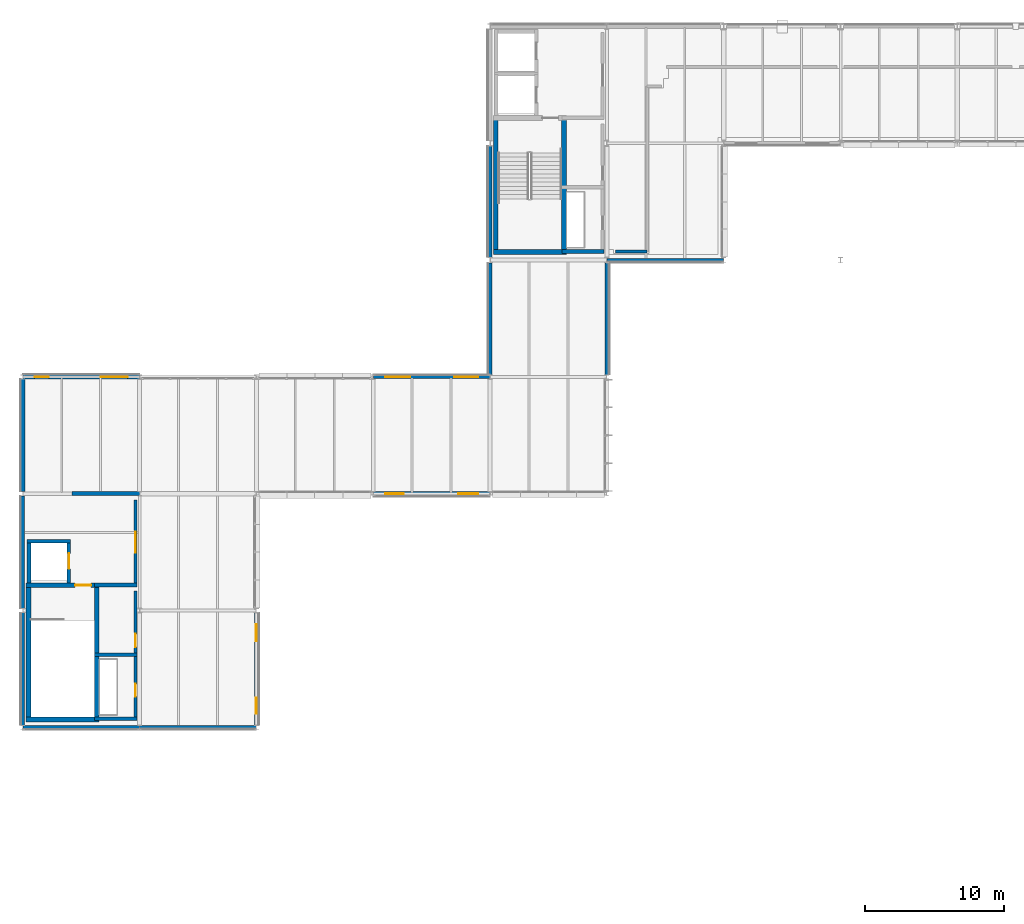
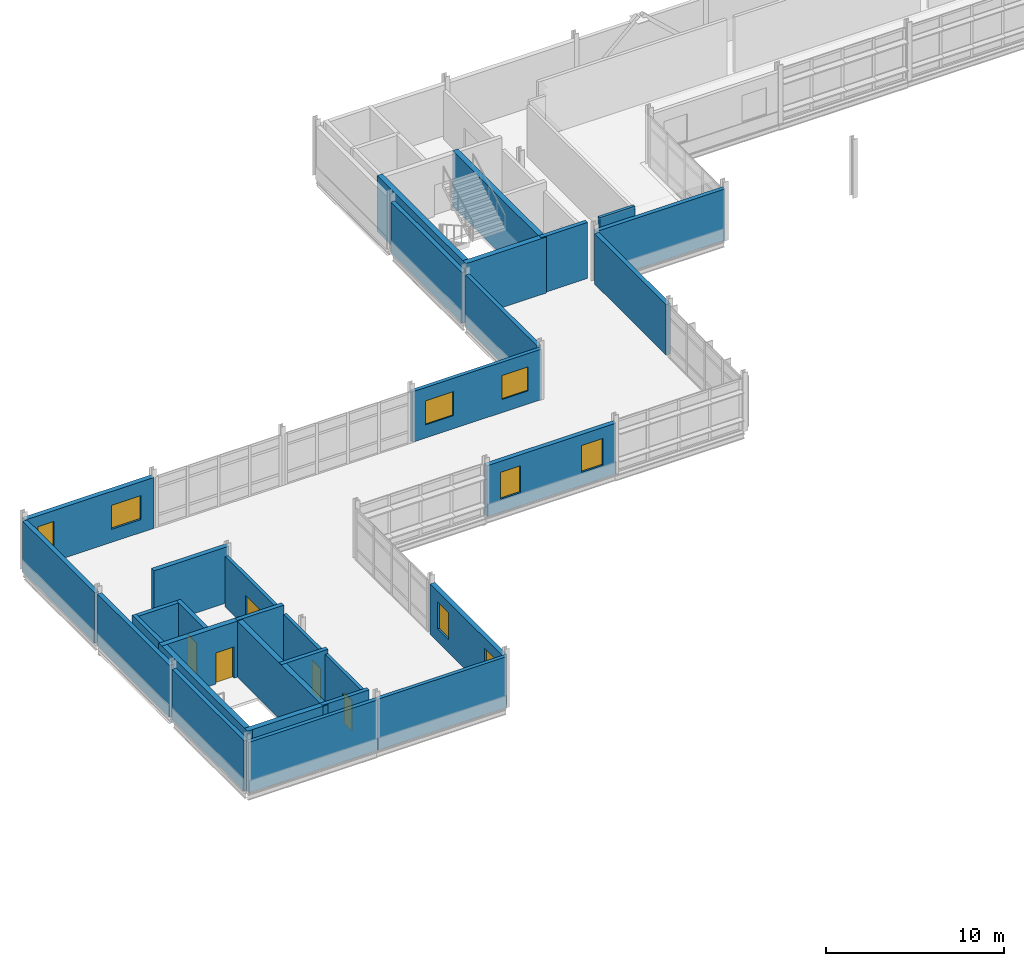
# One storey, part 84 of 103: 32 walls, 8 windows, 5 doors, 13 openings.
"""IFC4 building model written with IfcOpenShell, lengths in metres."""

import ifcopenshell
import ifcopenshell.guid

model = None  # the IFC model being written
_history = None  # IfcOwnerHistory: only IFC2X3 demands one
_inside = {}  # id of a spatial element -> (the spatial element, [elements in it])
_under = {}  # id of a project, library or spatial element -> (it, [spatial elements below it])
_declared = {}  # id of a project -> (the project, [libraries it declares])
_typed = {}  # id of a type object -> (the type object, [elements of that type])
_made_of = {}  # id of a material, layer set ... -> (it, [elements and type objects made of it])


def new_model(schema):
    """Start an empty IFC model of exactly this schema.

    Asked for "IFC4X3", IfcOpenShell would pick the latest addendum, in which some entities
    have other attributes; the version numbers below select the first issue.
    IFC2X3 requires an IfcOwnerHistory on every rooted entity: one is made here for all.
    """
    global model, _history
    if schema == "IFC4X3":
        model = ifcopenshell.file(schema_version=(4, 3, 0, 0))
    else:
        model = ifcopenshell.file(schema=schema)
    _inside.clear()
    _under.clear()
    _declared.clear()
    _typed.clear()
    _made_of.clear()
    _history = None
    if model.schema == "IFC2X3":
        org = make("IfcOrganization", Name="unknown")
        user = make(
            "IfcPersonAndOrganization",
            ThePerson=make("IfcPerson", FamilyName="unknown"),
            TheOrganization=org,
        )
        app = make(
            "IfcApplication",
            ApplicationDeveloper=org,
            Version="unknown",
            ApplicationFullName="unknown",
            ApplicationIdentifier="unknown",
        )
        _history = make(
            "IfcOwnerHistory",
            OwningUser=user,
            OwningApplication=app,
            ChangeAction="ADDED",
            CreationDate=0,
        )
    return model


def make(cls, **values):
    """One entity of the class cls with the attributes given. An attribute that is None is left unset."""
    return model.create_entity(
        cls, **{name: value for name, value in values.items() if value is not None}
    )


def rooted(cls, **values):
    """An entity with a GlobalId (a new one), such as an element, a storey or a relation."""
    return make(cls, GlobalId=ifcopenshell.guid.new(), OwnerHistory=_history, **values)


def si_unit(unit_type, name, prefix=None):
    """IfcSIUnit, for example si_unit("LENGTHUNIT", "METRE", prefix="MILLI")."""
    return make("IfcSIUnit", UnitType=unit_type, Prefix=prefix, Name=name)


def assignment(units):
    """IfcUnitAssignment: the units of a project."""
    return None if units is None else make("IfcUnitAssignment", Units=units)


def point(xyz):
    """IfcCartesianPoint."""
    return None if xyz is None else make("IfcCartesianPoint", Coordinates=xyz)


def direction(xyz):
    """IfcDirection."""
    return None if xyz is None else make("IfcDirection", DirectionRatios=xyz)


def frame(location, z_axis=None, x_axis=None):
    """IfcAxis2Placement3D, a coordinate frame: its origin and axes. An axis left out is left unset."""
    return make(
        "IfcAxis2Placement3D",
        Location=point(location),
        Axis=direction(z_axis),
        RefDirection=direction(x_axis),
    )


def frame_2d(location, x_axis=None):
    """IfcAxis2Placement2D, a coordinate frame in the plane: its origin and x axis."""
    return make(
        "IfcAxis2Placement2D", Location=point(location), RefDirection=direction(x_axis)
    )


def origin():
    """The frame at (0, 0, 0) with its axes left unset."""
    return frame((0.0, 0.0, 0.0))


def place(relative_to, where):
    """IfcLocalPlacement: puts the frame where relative to a parent placement (None: the world)."""
    return make(
        "IfcLocalPlacement", PlacementRelTo=relative_to, RelativePlacement=where
    )


def context(
    kind, dimensions, precision=None, world=None, true_north=None, identifier=None
):
    """IfcGeometricRepresentationContext, for example the 3D "Model" context."""
    return make(
        "IfcGeometricRepresentationContext",
        ContextIdentifier=identifier,
        ContextType=kind,
        CoordinateSpaceDimension=dimensions,
        Precision=precision,
        WorldCoordinateSystem=world,
        TrueNorth=true_north,
    )


def subcontext(parent, identifier, kind, view, scale=None):
    """IfcGeometricRepresentationSubContext, for example "Body" below "Model"."""
    return make(
        "IfcGeometricRepresentationSubContext",
        ContextIdentifier=identifier,
        ContextType=kind,
        ParentContext=parent,
        TargetScale=scale,
        TargetView=view,
    )


def project(units=None, contexts=None):
    """IfcProject with its units and contexts."""
    return rooted(
        "IfcProject",
        Name="project",
        RepresentationContexts=contexts,
        UnitsInContext=assignment(units),
    )


def spatial(cls, under=None, at=None, **own):
    """A site, building, storey or space (cls), placed at a placement, below another one or the project."""
    s = rooted(cls, ObjectPlacement=at, **own)
    if under is not None:
        _under.setdefault(under.id(), (under, []))[1].append(s)
    return s


def profile(cls, at=None, kind="AREA", **sizes):
    """A parametric profile (cls). Its sizes go by their IFC names, for example OverallWidth=200.0."""
    return make(cls, ProfileType=kind, Position=at, **sizes)


def rectangle(**sizes):
    """IfcRectangleProfileDef."""
    return profile("IfcRectangleProfileDef", **sizes)


def extrude(swept, where, along, depth):
    """IfcExtrudedAreaSolid: the profile swept, set in the frame where, extruded along a direction by depth."""
    return make(
        "IfcExtrudedAreaSolid",
        SweptArea=swept,
        Position=where,
        ExtrudedDirection=direction(along),
        Depth=depth,
    )


def shape(context_of_items, identifier, shape_type, items):
    """IfcShapeRepresentation: the items that make up one representation, for example the "Body"."""
    return make(
        "IfcShapeRepresentation",
        ContextOfItems=context_of_items,
        RepresentationIdentifier=identifier,
        RepresentationType=shape_type,
        Items=items,
    )


def material(Name=None, Category=None):
    """IfcMaterial."""
    return make("IfcMaterial", Name=Name, Category=Category)


def layer(
    of_material, thickness, ventilated=None, Name=None, Category=None, Priority=None
):
    """IfcMaterialLayer: one layer of a wall or slab, of a material (None: an air gap)."""
    return make(
        "IfcMaterialLayer",
        Material=of_material,
        LayerThickness=thickness,
        IsVentilated=ventilated,
        Name=Name,
        Category=Category,
        Priority=Priority,
    )


def layer_set(layers, Name=None):
    """IfcMaterialLayerSet."""
    return make("IfcMaterialLayerSet", MaterialLayers=layers, LayerSetName=Name)


def made_of(thing, what):
    """Note that an element or type object is made of a material, layer set ...; save() writes the relation."""
    if what is not None:
        _made_of.setdefault(what.id(), (what, []))[1].append(thing)
    return thing


def type_object(cls, material=None, **own):
    """A type object (cls), such as IfcWallType, which elements share."""
    return made_of(rooted(cls, **own), material)


def element(
    cls,
    number,
    at=None,
    inside=None,
    cuts=None,
    type_object=None,
    material=None,
    context=None,
    identifier="Body",
    shape_type=None,
    held_by="IfcProductDefinitionShape",
    body=None,
    shapes=None,
    **own,
):
    """One element of the class cls, such as IfcWall. Its Tag is "e" and its number.

    at: its placement. inside: the storey or other place that contains it. cuts: it is an
    opening in that element (IfcRelVoidsElement). A single representation is given by context,
    identifier, shape_type and body (its items); several are given by shapes. held_by: the class
    of the entity that holds the representations. save() writes the other relations.
    """
    e = rooted(cls, Tag="e%d" % number, ObjectPlacement=at, **own)
    if body is not None:
        shapes = [shape(context, identifier, shape_type, body)]
    if shapes is not None:
        e.Representation = make(held_by, Representations=shapes)
    if inside is not None:
        _inside.setdefault(inside.id(), (inside, []))[1].append(e)
    if cuts is not None:
        rooted(
            "IfcRelVoidsElement", RelatingBuildingElement=cuts, RelatedOpeningElement=e
        )
    if type_object is not None:
        _typed.setdefault(type_object.id(), (type_object, []))[1].append(e)
    return made_of(e, material)


def fill(opening, filler):
    """IfcRelFillsElement: the door or window that sits in an opening."""
    return rooted(
        "IfcRelFillsElement",
        RelatingOpeningElement=opening,
        RelatedBuildingElement=filler,
    )


def aggregate(whole, parts):
    """IfcRelAggregates: a whole, such as a stair, and the parts it consists of."""
    return rooted("IfcRelAggregates", RelatingObject=whole, RelatedObjects=parts)


def save(model, path):
    """Write the relations noted so far, then the file.

    IfcRelAggregates (storeys below a building ...), IfcRelContainedInSpatialStructure (elements
    in a storey), IfcRelDefinesByType, IfcRelAssociatesMaterial and IfcRelDeclares: one each for
    every whole, place, type object, material and project.
    """
    for whole, parts in _under.values():
        aggregate(whole, parts)
    for where, things in _inside.values():
        rooted(
            "IfcRelContainedInSpatialStructure",
            RelatedElements=things,
            RelatingStructure=where,
        )
    for kind, things in _typed.values():
        rooted("IfcRelDefinesByType", RelatedObjects=things, RelatingType=kind)
    for what, things in _made_of.values():
        rooted("IfcRelAssociatesMaterial", RelatedObjects=things, RelatingMaterial=what)
    for by, libraries in _declared.values():
        rooted("IfcRelDeclares", RelatingContext=by, RelatedDefinitions=libraries)
    model.write(path)


model = new_model("IFC4")

# Units and contexts
model_context = context("Model", 3, precision=1e-05, world=origin(), true_north=direction((0.0, 1.0)))
body_context = subcontext(model_context, "Body", "Model", "MODEL_VIEW")
ifc_project = project(units=[si_unit("LENGTHUNIT", "METRE"), si_unit("AREAUNIT", "SQUARE_METRE"), si_unit("VOLUMEUNIT", "CUBIC_METRE"), si_unit("PLANEANGLEUNIT", "RADIAN"), si_unit("MASSUNIT", "GRAM", prefix="KILO")], contexts=[model_context])

# Site, building, storey
site_placement = place(None, origin())
site = spatial("IfcSite", under=ifc_project, at=site_placement, CompositionType="ELEMENT")
building_placement = place(site_placement, origin())
building = spatial("IfcBuilding", under=site, at=building_placement, Name="Mersafa Astral City Hall", CompositionType="ELEMENT")
storey_placement = place(building_placement, frame((0.0, 0.0, 18.0)))
storey = spatial("IfcBuildingStorey", under=building, at=storey_placement, Name="L04", CompositionType="ELEMENT", Elevation=18.0)

# Wall, openings, windows
ifc_material_1 = material(Name="Precast concrete C40/50 insulated terracotta spandrel", Category="masonry")
ifc_layer_1 = layer(ifc_material_1, 0.235107421875, Name="Precast concrete C40/50 insulated terracotta spandrel")
ifc_layer_set_1 = layer_set([ifc_layer_1], Name="Precast concrete C40/50 insulated terracotta spandrel — ENV-WAL-EXT-235")
wall_type_1 = type_object("IfcWallType", Name="ENV-WAL-EXT-235", PredefinedType="STANDARD", material=ifc_layer_set_1)
wall_1_placement = place(storey_placement, frame((41.991943359375, 100.800048828125, 0.0), z_axis=(0.0, 0.0, 1.0), x_axis=(-1.0, 0.0, 0.0)))
wall_1 = element("IfcWall", 1, at=wall_1_placement, inside=storey, type_object=wall_type_1, Name="L04 Limestone-clad exterior wall 311", PredefinedType="STANDARD", context=body_context, shape_type="SweptSolid", body=[
    extrude(rectangle(XDim=8.384033203125, YDim=0.235107421875, at=frame_2d((4.19189453125, 0.0))), origin(), (0.0, 0.0, 1.0), 3.471923828125),
])
opening_1_placement = place(wall_1_placement, frame((0.85009765625, 0.0, 0.89990234375)))
opening_1 = element("IfcOpeningElement", 2, at=opening_1_placement, cuts=wall_1, Name="Opening W-38", PredefinedType="OPENING", context=body_context, shape_type="SweptSolid", body=[
    extrude(rectangle(XDim=1.719970703125, YDim=1.64990234375, at=frame_2d((0.85986328125, 0.824951171875))), frame((0.0, 0.12744140625, 0.0), z_axis=(0.0, -1.0, 0.0), x_axis=(1.0, 0.0, 0.0)), (0.0, 0.0, 1.0), 0.255126953125),
])
opening_2_placement = place(wall_1_placement, frame((5.714111328125, 0.0, 0.89990234375)))
opening_2 = element("IfcOpeningElement", 3, at=opening_2_placement, cuts=wall_1, Name="Opening W-39", PredefinedType="OPENING", context=body_context, shape_type="SweptSolid", body=[
    extrude(rectangle(XDim=1.820068359375, YDim=1.64990234375, at=frame_2d((0.91015625, 0.824951171875))), frame((0.0, 0.12744140625, 0.0), z_axis=(0.0, -1.0, 0.0), x_axis=(1.0, 0.0, 0.0)), (0.0, 0.0, 1.0), 0.255126953125),
])
ifc_material_2 = material(Name="Solar control low-e double glazing in bronze frame", Category="glass")
window_type_1 = type_object("IfcWindowType", Name="ENV-WIN-W-38", PartitioningType="SINGLE_PANEL", PredefinedType="WINDOW", material=ifc_material_2)
window_1_placement = place(opening_1_placement, origin())
window_1 = element("IfcWindow", 4, at=window_1_placement, inside=storey, type_object=window_type_1, Name="L04 Solar punched window 311-L", OverallHeight=1.64990234375, OverallWidth=1.719970703125, PartitioningType="SINGLE_PANEL", PredefinedType="WINDOW", context=body_context, shape_type="SweptSolid", body=[
    extrude(rectangle(XDim=1.719970703125, YDim=1.64990234375, at=frame_2d((0.85986328125, 0.824951171875))), frame((0.0, 0.030029296875, 0.0), z_axis=(0.0, -1.0, 0.0), x_axis=(1.0, 0.0, 0.0)), (0.0, 0.0, 1.0), 0.06005859375),
])
fill(opening_1, window_1)
window_type_2 = type_object("IfcWindowType", Name="ENV-WIN-W-39", PartitioningType="SINGLE_PANEL", PredefinedType="WINDOW", material=ifc_material_2)
window_2_placement = place(opening_2_placement, origin())
window_2 = element("IfcWindow", 5, at=window_2_placement, inside=storey, type_object=window_type_2, Name="L04 Solar punched window 311-R", OverallHeight=1.64990234375, OverallWidth=1.820068359375, PartitioningType="SINGLE_PANEL", PredefinedType="WINDOW", context=body_context, shape_type="SweptSolid", body=[
    extrude(rectangle(XDim=1.820068359375, YDim=1.64990234375, at=frame_2d((0.91015625, 0.824951171875))), frame((0.0, 0.030029296875, 0.0), z_axis=(0.0, -1.0, 0.0), x_axis=(1.0, 0.0, 0.0)), (0.0, 0.0, 1.0), 0.06005859375),
])
fill(opening_2, window_2)

# Walls
wall_2_placement = place(storey_placement, frame((16.80810546875, 75.60009765625, 0.0), z_axis=(0.0, 0.0, 1.0), x_axis=(1.0, 0.0, 0.0)))
element("IfcWall", 6, at=wall_2_placement, inside=storey, type_object=wall_type_1, Name="L04 Limestone-clad exterior wall 317", PredefinedType="STANDARD", context=body_context, shape_type="SweptSolid", body=[
    extrude(rectangle(XDim=8.3837890625, YDim=0.235107421875, at=frame_2d((4.19189453125, 0.0))), origin(), (0.0, 0.0, 1.0), 3.501953125),
])
ifc_layer_2 = layer(ifc_material_1, 0.25, Name="Precast concrete C40/50 insulated terracotta spandrel")
ifc_layer_set_2 = layer_set([ifc_layer_2], Name="Precast concrete C40/50 insulated terracotta spandrel — ENV-WAL-EXT-250")
wall_type_2 = type_object("IfcWallType", Name="ENV-WAL-EXT-250", PredefinedType="STANDARD", material=ifc_layer_set_2)
wall_3_placement = place(storey_placement, frame((42.0, 109.00390625, 0.0), z_axis=(0.0, 0.0, 1.0), x_axis=(0.0, -1.0, 0.0)))
element("IfcWall", 7, at=wall_3_placement, inside=storey, type_object=wall_type_2, Name="L04 Limestone-clad exterior wall 310", PredefinedType="STANDARD", context=body_context, shape_type="SweptSolid", body=[
    extrude(rectangle(XDim=8.057861328125, YDim=0.25, at=frame_2d((4.02880859375, 0.0))), origin(), (0.0, 0.0, 1.0), 3.56201171875),
])
wall_4_placement = place(storey_placement, frame((8.407958984375, 75.60009765625, 0.0), z_axis=(0.0, 0.0, 1.0), x_axis=(1.0, 0.0, 0.0)))
element("IfcWall", 8, at=wall_4_placement, inside=storey, type_object=wall_type_2, Name="L04 Limestone-clad exterior wall 316", PredefinedType="STANDARD", context=body_context, shape_type="SweptSolid", body=[
    extrude(rectangle(XDim=8.384033203125, YDim=0.25, at=frame_2d((4.19189453125, 0.0))), origin(), (0.0, 0.0, 1.0), 3.471923828125),
])
ifc_material_3 = material(Name="Precast concrete C40/50 insulated limestone wall", Category="masonry")
ifc_layer_3 = layer(ifc_material_3, 0.264892578125, Name="Precast concrete C40/50 insulated limestone wall")
ifc_layer_set_3 = layer_set([ifc_layer_3], Name="Precast concrete C40/50 insulated limestone wall — ENV-WAL-EXT-265")
wall_type_3 = type_object("IfcWallType", Name="ENV-WAL-EXT-265", PredefinedType="STANDARD", material=ifc_layer_set_3)
wall_5_placement = place(storey_placement, frame((42.0, 117.404052734375, 0.0), z_axis=(0.0, 0.0, 1.0), x_axis=(0.0, -1.0, 0.0)))
element("IfcWall", 9, at=wall_5_placement, inside=storey, type_object=wall_type_3, Name="L04 Limestone-clad exterior wall 309", PredefinedType="STANDARD", context=body_context, shape_type="SweptSolid", body=[
    extrude(rectangle(XDim=8.008056640625, YDim=0.264892578125, at=frame_2d((4.00390625, 0.0))), origin(), (0.0, 0.0, 1.0), 3.491943359375),
])
wall_6_placement = place(storey_placement, frame((8.39990234375, 83.85400390625, 0.0), z_axis=(0.0, 0.0, 1.0), x_axis=(0.0, -1.0, 0.0)))
element("IfcWall", 10, at=wall_6_placement, inside=storey, type_object=wall_type_3, Name="L04 Limestone-clad exterior wall 315", PredefinedType="STANDARD", context=body_context, shape_type="SweptSolid", body=[
    extrude(rectangle(XDim=8.10791015625, YDim=0.264892578125, at=frame_2d((4.053955078125, 0.0))), origin(), (0.0, 0.0, 1.0), 3.471923828125),
])
wall_7_placement = place(storey_placement, frame((50.407958984375, 109.199951171875, 0.0), z_axis=(0.0, 0.0, 1.0), x_axis=(1.0, 0.0, 0.0)))
element("IfcWall", 11, at=wall_7_placement, inside=storey, type_object=wall_type_3, Name="L04 Limestone-clad exterior wall 321", PredefinedType="STANDARD", context=body_context, shape_type="SweptSolid", body=[
    extrude(rectangle(XDim=8.384033203125, YDim=0.264892578125, at=frame_2d((4.19189453125, 0.0))), origin(), (0.0, 0.0, 1.0), 3.52197265625),
])
ifc_layer_4 = layer(ifc_material_3, 0.280029296875, Name="Precast concrete C40/50 insulated limestone wall")
ifc_layer_set_4 = layer_set([ifc_layer_4], Name="Precast concrete C40/50 insulated limestone wall — ENV-WAL-EXT-280")
wall_type_4 = type_object("IfcWallType", Name="ENV-WAL-EXT-280", PredefinedType="STANDARD", material=ifc_layer_set_4)
wall_8_placement = place(storey_placement, frame((8.39990234375, 92.25390625, 0.0), z_axis=(0.0, 0.0, 1.0), x_axis=(0.0, -1.0, 0.0)))
element("IfcWall", 12, at=wall_8_placement, inside=storey, type_object=wall_type_4, Name="L04 Limestone-clad exterior wall 314", PredefinedType="STANDARD", context=body_context, shape_type="SweptSolid", body=[
    extrude(rectangle(XDim=8.10791015625, YDim=0.280029296875, at=frame_2d((4.053955078125, 0.0))), origin(), (0.0, 0.0, 1.0), 3.56201171875),
])
wall_9_placement = place(storey_placement, frame((50.39990234375, 100.946044921875, 0.0), z_axis=(0.0, 0.0, 1.0), x_axis=(0.0, 1.0, 0.0)))
element("IfcWall", 13, at=wall_9_placement, inside=storey, type_object=wall_type_4, Name="L04 Limestone-clad exterior wall 320", PredefinedType="STANDARD", context=body_context, shape_type="SweptSolid", body=[
    extrude(rectangle(XDim=8.057861328125, YDim=0.280029296875, at=frame_2d((4.02880859375, 0.0))), origin(), (0.0, 0.0, 1.0), 3.471923828125),
])
ifc_layer_5 = layer(ifc_material_3, 0.294921875, Name="Precast concrete C40/50 insulated limestone wall")
ifc_layer_set_5 = layer_set([ifc_layer_5], Name="Precast concrete C40/50 insulated limestone wall — ENV-WAL-EXT-295")
wall_type_5 = type_object("IfcWallType", Name="ENV-WAL-EXT-295", PredefinedType="STANDARD", material=ifc_layer_set_5)
wall_10_placement = place(storey_placement, frame((8.39990234375, 100.654052734375, 0.0), z_axis=(0.0, 0.0, 1.0), x_axis=(0.0, -1.0, 0.0)))
element("IfcWall", 14, at=wall_10_placement, inside=storey, type_object=wall_type_5, Name="L04 Limestone-clad exterior wall 313", PredefinedType="STANDARD", context=body_context, shape_type="SweptSolid", body=[
    extrude(rectangle(XDim=8.108154296875, YDim=0.294921875, at=frame_2d((4.05419921875, 0.0))), origin(), (0.0, 0.0, 1.0), 3.471923828125),
])

# Wall, openings, windows
wall_11_placement = place(storey_placement, frame((33.60791015625, 92.39990234375, 0.0), z_axis=(0.0, 0.0, 1.0), x_axis=(1.0, 0.0, 0.0)))
wall_11 = element("IfcWall", 15, at=wall_11_placement, inside=storey, type_object=wall_type_5, Name="L04 Limestone-clad exterior wall 319", PredefinedType="STANDARD", context=body_context, shape_type="SweptSolid", body=[
    extrude(rectangle(XDim=8.384033203125, YDim=0.294921875, at=frame_2d((4.19189453125, 0.0))), origin(), (0.0, 0.0, 1.0), 3.501953125),
])
opening_3_placement = place(wall_11_placement, frame((0.85009765625, 0.0, 0.89990234375)))
opening_3 = element("IfcOpeningElement", 16, at=opening_3_placement, cuts=wall_11, Name="Opening W-44", PredefinedType="OPENING", context=body_context, shape_type="SweptSolid", body=[
    extrude(rectangle(XDim=1.320068359375, YDim=1.85009765625, at=frame_2d((0.66015625, 0.925048828125))), frame((0.0, 0.157470703125, 0.0), z_axis=(0.0, -1.0, 0.0), x_axis=(1.0, 0.0, 0.0)), (0.0, 0.0, 1.0), 0.31494140625),
])
opening_4_placement = place(wall_11_placement, frame((6.114013671875, 0.0, 0.89990234375)))
opening_4 = element("IfcOpeningElement", 17, at=opening_4_placement, cuts=wall_11, Name="Opening W-45", PredefinedType="OPENING", context=body_context, shape_type="SweptSolid", body=[
    extrude(rectangle(XDim=1.419921875, YDim=1.85009765625, at=frame_2d((0.7099609375, 0.925048828125))), frame((0.0, 0.157470703125, 0.0), z_axis=(0.0, -1.0, 0.0), x_axis=(1.0, 0.0, 0.0)), (0.0, 0.0, 1.0), 0.31494140625),
])
window_type_3 = type_object("IfcWindowType", Name="ENV-WIN-W-44", PartitioningType="SINGLE_PANEL", PredefinedType="WINDOW", material=ifc_material_2)
window_3_placement = place(opening_3_placement, origin())
window_3 = element("IfcWindow", 18, at=window_3_placement, inside=storey, type_object=window_type_3, Name="L04 Solar punched window 319-L", OverallHeight=1.85009765625, OverallWidth=1.320068359375, PartitioningType="SINGLE_PANEL", PredefinedType="WINDOW", context=body_context, shape_type="SweptSolid", body=[
    extrude(rectangle(XDim=1.320068359375, YDim=1.85009765625, at=frame_2d((0.66015625, 0.925048828125))), frame((0.0, 0.030029296875, 0.0), z_axis=(0.0, -1.0, 0.0), x_axis=(1.0, 0.0, 0.0)), (0.0, 0.0, 1.0), 0.06005859375),
])
fill(opening_3, window_3)
window_type_4 = type_object("IfcWindowType", Name="ENV-WIN-W-45", PartitioningType="SINGLE_PANEL", PredefinedType="WINDOW", material=ifc_material_2)
window_4_placement = place(opening_4_placement, origin())
window_4 = element("IfcWindow", 19, at=window_4_placement, inside=storey, type_object=window_type_4, Name="L04 Solar punched window 319-R", OverallHeight=1.85009765625, OverallWidth=1.419921875, PartitioningType="SINGLE_PANEL", PredefinedType="WINDOW", context=body_context, shape_type="SweptSolid", body=[
    extrude(rectangle(XDim=1.419921875, YDim=1.85009765625, at=frame_2d((0.7099609375, 0.925048828125))), frame((0.0, 0.030029296875, 0.0), z_axis=(0.0, -1.0, 0.0), x_axis=(1.0, 0.0, 0.0)), (0.0, 0.0, 1.0), 0.06005859375),
])
fill(opening_4, window_4)

ifc_layer_6 = layer(ifc_material_3, 0.31005859375, Name="Precast concrete C40/50 insulated limestone wall")
ifc_layer_set_6 = layer_set([ifc_layer_6], Name="Precast concrete C40/50 insulated limestone wall — ENV-WAL-EXT-310")
wall_type_6 = type_object("IfcWallType", Name="ENV-WAL-EXT-310", PredefinedType="STANDARD", material=ifc_layer_set_6)
wall_12_placement = place(storey_placement, frame((16.7919921875, 100.800048828125, 0.0), z_axis=(0.0, 0.0, 1.0), x_axis=(-1.0, 0.0, 0.0)))
wall_12 = element("IfcWall", 20, at=wall_12_placement, inside=storey, type_object=wall_type_6, Name="L04 Limestone-clad exterior wall 312", PredefinedType="STANDARD", context=body_context, shape_type="SweptSolid", body=[
    extrude(rectangle(XDim=8.384033203125, YDim=0.31005859375, at=frame_2d((4.19189453125, 0.0))), origin(), (0.0, 0.0, 1.0), 3.501953125),
])
opening_5_placement = place(wall_12_placement, frame((0.85009765625, 0.0, 0.89990234375)))
opening_5 = element("IfcOpeningElement", 21, at=opening_5_placement, cuts=wall_12, Name="Opening W-40", PredefinedType="OPENING", context=body_context, shape_type="SweptSolid", body=[
    extrude(rectangle(XDim=1.919921875, YDim=1.64990234375, at=frame_2d((0.9599609375, 0.824951171875))), frame((0.0, 0.1650390625, 0.0), z_axis=(0.0, -1.0, 0.0), x_axis=(1.0, 0.0, 0.0)), (0.0, 0.0, 1.0), 0.330078125),
])
opening_6_placement = place(wall_12_placement, frame((6.513916015625, 0.0, 0.89990234375)))
opening_6 = element("IfcOpeningElement", 22, at=opening_6_placement, cuts=wall_12, Name="Opening W-41", PredefinedType="OPENING", context=body_context, shape_type="SweptSolid", body=[
    extrude(rectangle(XDim=1.02001953125, YDim=1.85009765625, at=frame_2d((0.510009765625, 0.925048828125))), frame((0.0, 0.1650390625, 0.0), z_axis=(0.0, -1.0, 0.0), x_axis=(1.0, 0.0, 0.0)), (0.0, 0.0, 1.0), 0.330078125),
])
window_type_5 = type_object("IfcWindowType", Name="ENV-WIN-W-40", PartitioningType="SINGLE_PANEL", PredefinedType="WINDOW", material=ifc_material_2)
window_5_placement = place(opening_5_placement, origin())
window_5 = element("IfcWindow", 23, at=window_5_placement, inside=storey, type_object=window_type_5, Name="L04 Solar punched window 312-L", OverallHeight=1.64990234375, OverallWidth=1.919921875, PartitioningType="SINGLE_PANEL", PredefinedType="WINDOW", context=body_context, shape_type="SweptSolid", body=[
    extrude(rectangle(XDim=1.919921875, YDim=1.64990234375, at=frame_2d((0.9599609375, 0.824951171875))), frame((0.0, 0.030029296875, 0.0), z_axis=(0.0, -1.0, 0.0), x_axis=(1.0, 0.0, 0.0)), (0.0, 0.0, 1.0), 0.06005859375),
])
fill(opening_5, window_5)
window_type_6 = type_object("IfcWindowType", Name="ENV-WIN-W-41", PartitioningType="SINGLE_PANEL", PredefinedType="WINDOW", material=ifc_material_2)
window_6_placement = place(opening_6_placement, origin())
window_6 = element("IfcWindow", 24, at=window_6_placement, inside=storey, type_object=window_type_6, Name="L04 Solar punched window 312-R", OverallHeight=1.85009765625, OverallWidth=1.02001953125, PartitioningType="SINGLE_PANEL", PredefinedType="WINDOW", context=body_context, shape_type="SweptSolid", body=[
    extrude(rectangle(XDim=1.02001953125, YDim=1.85009765625, at=frame_2d((0.510009765625, 0.925048828125))), frame((0.0, 0.030029296875, 0.0), z_axis=(0.0, -1.0, 0.0), x_axis=(1.0, 0.0, 0.0)), (0.0, 0.0, 1.0), 0.06005859375),
])
fill(opening_6, window_6)

wall_13_placement = place(storey_placement, frame((25.199951171875, 75.74609375, 0.0), z_axis=(0.0, 0.0, 1.0), x_axis=(0.0, 1.0, 0.0)))
wall_13 = element("IfcWall", 25, at=wall_13_placement, inside=storey, type_object=wall_type_6, Name="L04 Limestone-clad exterior wall 318", PredefinedType="STANDARD", context=body_context, shape_type="SweptSolid", body=[
    extrude(rectangle(XDim=8.10791015625, YDim=0.31005859375, at=frame_2d((4.053955078125, 0.0))), origin(), (0.0, 0.0, 1.0), 3.471923828125),
])
opening_7_placement = place(wall_13_placement, frame((0.85009765625, 0.0, 0.89990234375)))
opening_7 = element("IfcOpeningElement", 26, at=opening_7_placement, cuts=wall_13, Name="Opening W-42", PredefinedType="OPENING", context=body_context, shape_type="SweptSolid", body=[
    extrude(rectangle(XDim=1.1201171875, YDim=1.85009765625, at=frame_2d((0.56005859375, 0.925048828125))), frame((0.0, 0.1650390625, 0.0), z_axis=(0.0, -1.0, 0.0), x_axis=(1.0, 0.0, 0.0)), (0.0, 0.0, 1.0), 0.330078125),
])
opening_8_placement = place(wall_13_placement, frame((6.0380859375, 0.0, 0.89990234375)))
opening_8 = element("IfcOpeningElement", 27, at=opening_8_placement, cuts=wall_13, Name="Opening W-43", PredefinedType="OPENING", context=body_context, shape_type="SweptSolid", body=[
    extrude(rectangle(XDim=1.219970703125, YDim=1.85009765625, at=frame_2d((0.60986328125, 0.925048828125))), frame((0.0, 0.1650390625, 0.0), z_axis=(0.0, -1.0, 0.0), x_axis=(1.0, 0.0, 0.0)), (0.0, 0.0, 1.0), 0.330078125),
])
window_type_7 = type_object("IfcWindowType", Name="ENV-WIN-W-42", PartitioningType="SINGLE_PANEL", PredefinedType="WINDOW", material=ifc_material_2)
window_7_placement = place(opening_7_placement, origin())
window_7 = element("IfcWindow", 28, at=window_7_placement, inside=storey, type_object=window_type_7, Name="L04 Solar punched window 318-L", OverallHeight=1.85009765625, OverallWidth=1.1201171875, PartitioningType="SINGLE_PANEL", PredefinedType="WINDOW", context=body_context, shape_type="SweptSolid", body=[
    extrude(rectangle(XDim=1.1201171875, YDim=1.85009765625, at=frame_2d((0.56005859375, 0.925048828125))), frame((0.0, 0.030029296875, 0.0), z_axis=(0.0, -1.0, 0.0), x_axis=(1.0, 0.0, 0.0)), (0.0, 0.0, 1.0), 0.06005859375),
])
fill(opening_7, window_7)
window_type_8 = type_object("IfcWindowType", Name="ENV-WIN-W-43", PartitioningType="SINGLE_PANEL", PredefinedType="WINDOW", material=ifc_material_2)
window_8_placement = place(opening_8_placement, origin())
window_8 = element("IfcWindow", 29, at=window_8_placement, inside=storey, type_object=window_type_8, Name="L04 Solar punched window 318-R", OverallHeight=1.85009765625, OverallWidth=1.219970703125, PartitioningType="SINGLE_PANEL", PredefinedType="WINDOW", context=body_context, shape_type="SweptSolid", body=[
    extrude(rectangle(XDim=1.219970703125, YDim=1.85009765625, at=frame_2d((0.60986328125, 0.925048828125))), frame((0.0, 0.030029296875, 0.0), z_axis=(0.0, -1.0, 0.0), x_axis=(1.0, 0.0, 0.0)), (0.0, 0.0, 1.0), 0.06005859375),
])
fill(opening_8, window_8)

# Walls
ifc_material_4 = material(Name="Concrete C40/50", Category="concrete")
ifc_layer_7 = layer(ifc_material_4, 0.260009765625, Name="Concrete C40/50")
ifc_layer_set_7 = layer_set([ifc_layer_7], Name="Concrete C40/50 — INT-WAL-CORE-260")
wall_type_7 = type_object("IfcWallType", Name="INT-WAL-CORE-260", PredefinedType="SHEAR", material=ifc_layer_set_7)
wall_14_placement = place(storey_placement, frame((47.1650390625, 109.820068359375, 0.0), z_axis=(0.0, 0.0, 1.0), x_axis=(1.0, 0.0, 0.0)))
element("IfcWall", 30, at=wall_14_placement, inside=storey, type_object=wall_type_7, Name="L04 Core K3 riser south wall", PredefinedType="SHEAR", context=body_context, shape_type="SweptSolid", body=[
    extrude(rectangle(XDim=3.034912109375, YDim=0.260009765625, at=frame_2d((1.517578125, 0.0))), origin(), (0.0, 0.0, 1.0), 3.85009765625),
])
wall_15_placement = place(storey_placement, frame((8.715087890625, 88.985107421875, 0.0), z_axis=(0.0, 0.0, 1.0), x_axis=(1.0, 0.0, 0.0)))
element("IfcWall", 31, at=wall_15_placement, inside=storey, type_object=wall_type_7, Name="L04 Lift LF8 north shaft wall", PredefinedType="SHEAR", context=body_context, shape_type="SweptSolid", body=[
    extrude(rectangle(XDim=3.1298828125, YDim=0.260009765625, at=frame_2d((1.56494140625, 0.0))), origin(), (0.0, 0.0, 1.0), 3.85009765625),
])
wall_16_placement = place(storey_placement, frame((8.844970703125, 85.9970703125, 0.0), z_axis=(0.0, 0.0, 1.0), x_axis=(0.0, 1.0, 0.0)))
element("IfcWall", 32, at=wall_16_placement, inside=storey, type_object=wall_type_7, Name="L04 Lift LF8 back shaft wall", PredefinedType="SHEAR", context=body_context, shape_type="SweptSolid", body=[
    extrude(rectangle(XDim=3.117919921875, YDim=0.260009765625, at=frame_2d((1.55908203125, 0.0))), origin(), (0.0, 0.0, 1.0), 3.85009765625),
])

# Wall, opening, door
wall_17_placement = place(storey_placement, frame((11.715087890625, 85.9970703125, 0.0), z_axis=(0.0, 0.0, 1.0), x_axis=(0.0, 1.0, 0.0)))
wall_17 = element("IfcWall", 33, at=wall_17_placement, inside=storey, type_object=wall_type_7, Name="L04 Lift LF8 front shaft wall", PredefinedType="SHEAR", context=body_context, shape_type="SweptSolid", body=[
    extrude(rectangle(XDim=3.117919921875, YDim=0.260009765625, at=frame_2d((1.55908203125, 0.0))), origin(), (0.0, 0.0, 1.0), 3.85009765625),
])
opening_9_placement = place(wall_17_placement, frame((1.009033203125, 0.0, 0.0)))
opening_9 = element("IfcOpeningElement", 34, at=opening_9_placement, cuts=wall_17, Name="Opening LD-1", PredefinedType="OPENING", context=body_context, shape_type="SweptSolid", body=[
    extrude(rectangle(XDim=1.10009765625, YDim=2.14990234375, at=frame_2d((0.550048828125, 1.074951171875))), frame((0.0, 0.139892578125, 0.0), z_axis=(0.0, -1.0, 0.0), x_axis=(1.0, 0.0, 0.0)), (0.0, 0.0, 1.0), 0.280029296875),
])
ifc_material_5 = material(Name="Stainless steel sliding lift landing door", Category="steel")
door_type_1 = type_object("IfcDoorType", Name="INT-DR-LIFT-LD1", OperationType="NOTDEFINED", PredefinedType="DOOR", material=ifc_material_5)
door_1_placement = place(opening_9_placement, origin())
door_1 = element("IfcDoor", 35, at=door_1_placement, inside=storey, type_object=door_type_1, Name="Elevator LF8 Sliding Landing Door L04", OperationType="DOUBLE_DOOR_SLIDING", OverallHeight=2.14990234375, OverallWidth=1.10009765625, PredefinedType="DOOR", context=body_context, shape_type="SweptSolid", body=[
    extrude(rectangle(XDim=1.10009765625, YDim=2.14990234375, at=frame_2d((0.550048828125, 1.074951171875))), frame((0.0, 0.02490234375, 0.0), z_axis=(0.0, -1.0, 0.0), x_axis=(1.0, 0.0, 0.0)), (0.0, 0.0, 1.0), 0.050048828125),
])
fill(opening_9, door_1)

# Walls
for number, where, z_axis, x_axis, name in (
    (36, (13.56494140625, 76.219970703125, 0.0), (0.0, 0.0, 1.0), (1.0, 0.0, 0.0), "L04 Core K6 riser south wall"),
    (37, (13.56494140625, 80.8349609375, 0.0), (0.0, 0.0, 1.0), (1.0, 0.0, 0.0), "L04 Core K6 riser-restroom divider wall"),
    (38, (13.56494140625, 85.8349609375, 0.0), (0.0, 0.0, 1.0), (1.0, 0.0, 0.0), "L04 Core K6 restroom-lobby divider wall"),
):
    element("IfcWall", number, at=place(storey_placement, frame(where, z_axis=z_axis, x_axis=x_axis)), inside=storey, type_object=wall_type_7, Name=name, PredefinedType="SHEAR", context=body_context, shape_type="SweptSolid", body=[
        extrude(rectangle(XDim=3.03515625, YDim=0.260009765625, at=frame_2d((1.517578125, 0.0))), origin(), (0.0, 0.0, 1.0), 3.85009765625),
    ])
ifc_layer_8 = layer(ifc_material_4, 0.300048828125, Name="Concrete C40/50")
ifc_layer_set_8 = layer_set([ifc_layer_8], Name="Concrete C40/50 — INT-WAL-CORE-300")
wall_type_8 = type_object("IfcWallType", Name="INT-WAL-CORE-300", PredefinedType="SHEAR", material=ifc_layer_set_8)
wall_18_placement = place(storey_placement, frame((11.949951171875, 92.409912109375, 0.0), z_axis=(0.0, 0.0, 1.0), x_axis=(1.0, 0.0, 0.0)))
element("IfcWall", 39, at=wall_18_placement, inside=storey, type_object=wall_type_8, Name="L04 Core K6 lobby north shear wall", PredefinedType="SHEAR", context=body_context, shape_type="SweptSolid", body=[
    extrude(rectangle(XDim=4.8701171875, YDim=0.300048828125, at=frame_2d((2.43505859375, 0.0))), origin(), (0.0, 0.0, 1.0), 3.85009765625),
])
ifc_layer_9 = layer(ifc_material_4, 0.340087890625, Name="Concrete C40/50")
ifc_layer_set_9 = layer_set([ifc_layer_9], Name="Concrete C40/50 — INT-WAL-CORE-340")
wall_type_9 = type_object("IfcWallType", Name="INT-WAL-CORE-340", PredefinedType="SHEAR", material=ifc_layer_set_9)
for number, where, z_axis, x_axis, name in (
    (40, (42.405029296875, 109.60498046875, 0.0), (0.0, 0.0, 1.0), (0.0, 1.0, 0.0), "L04 Core K3 stair west shear wall"),
    (41, (47.31494140625, 109.60498046875, 0.0), (0.0, 0.0, 1.0), (0.0, 1.0, 0.0), "L04 Core K3 stair east shear wall"),
):
    element("IfcWall", number, at=place(storey_placement, frame(where, z_axis=z_axis, x_axis=x_axis)), inside=storey, type_object=wall_type_9, Name=name, PredefinedType="SHEAR", context=body_context, shape_type="SweptSolid", body=[
        extrude(rectangle(XDim=9.989990234375, YDim=0.340087890625, at=frame_2d((4.9951171875, 0.0))), origin(), (0.0, 0.0, 1.0), 3.85009765625),
    ])
wall_19_placement = place(storey_placement, frame((42.235107421875, 109.77490234375, 0.0), z_axis=(0.0, 0.0, 1.0), x_axis=(1.0, 0.0, 0.0)))
element("IfcWall", 42, at=wall_19_placement, inside=storey, type_object=wall_type_9, Name="L04 Core K3 stair south shear wall", PredefinedType="SHEAR", context=body_context, shape_type="SweptSolid", body=[
    extrude(rectangle(XDim=5.25, YDim=0.340087890625, at=frame_2d((2.625, 0.0))), origin(), (0.0, 0.0, 1.0), 3.85009765625),
])
for number, where, z_axis, x_axis, name in (
    (43, (8.804931640625, 76.0048828125, 0.0), (0.0, 0.0, 1.0), (0.0, 1.0, 0.0), "L04 Core K6 stair west shear wall"),
    (44, (13.715087890625, 76.0048828125, 0.0), (0.0, 0.0, 1.0), (0.0, 1.0, 0.0), "L04 Core K6 stair east shear wall"),
):
    element("IfcWall", number, at=place(storey_placement, frame(where, z_axis=z_axis, x_axis=x_axis)), inside=storey, type_object=wall_type_9, Name=name, PredefinedType="SHEAR", context=body_context, shape_type="SweptSolid", body=[
        extrude(rectangle(XDim=9.990234375, YDim=0.340087890625, at=frame_2d((4.9951171875, 0.0))), origin(), (0.0, 0.0, 1.0), 3.85009765625),
    ])
wall_20_placement = place(storey_placement, frame((8.635009765625, 76.175048828125, 0.0), z_axis=(0.0, 0.0, 1.0), x_axis=(1.0, 0.0, 0.0)))
element("IfcWall", 45, at=wall_20_placement, inside=storey, type_object=wall_type_9, Name="L04 Core K6 stair south shear wall", PredefinedType="SHEAR", context=body_context, shape_type="SweptSolid", body=[
    extrude(rectangle(XDim=5.25, YDim=0.340087890625, at=frame_2d((2.625, 0.0))), origin(), (0.0, 0.0, 1.0), 3.85009765625),
])

# Wall, opening, door
wall_21_placement = place(storey_placement, frame((8.635009765625, 85.824951171875, 0.0), z_axis=(0.0, 0.0, 1.0), x_axis=(1.0, 0.0, 0.0)))
wall_21 = element("IfcWall", 46, at=wall_21_placement, inside=storey, type_object=wall_type_9, Name="L04 Core K6 stair-lobby fire wall", PredefinedType="SHEAR", context=body_context, shape_type="SweptSolid", body=[
    extrude(rectangle(XDim=5.25, YDim=0.340087890625, at=frame_2d((2.625, 0.0))), origin(), (0.0, 0.0, 1.0), 3.85009765625),
])
opening_10_placement = place(wall_21_placement, frame((3.534912109375, 0.0, 0.0)))
opening_10 = element("IfcOpeningElement", 47, at=opening_10_placement, cuts=wall_21, Name="Opening CD-1", PredefinedType="OPENING", context=body_context, shape_type="SweptSolid", body=[
    extrude(rectangle(XDim=1.14990234375, YDim=2.14990234375, at=frame_2d((0.574951171875, 1.074951171875))), frame((0.0, 0.179931640625, 0.0), z_axis=(0.0, -1.0, 0.0), x_axis=(1.0, 0.0, 0.0)), (0.0, 0.0, 1.0), 0.360107421875),
])
ifc_material_6 = material(Name="Fire-rated steel stair door", Category="steel")
door_type_2 = type_object("IfcDoorType", Name="INT-DR-STAIR-FD90-1150", OperationType="NOTDEFINED", PredefinedType="DOOR", material=ifc_material_6)
door_2_placement = place(opening_10_placement, origin())
door_2 = element("IfcDoor", 48, at=door_2_placement, inside=storey, type_object=door_type_2, Name="L04 Protected Stair ST6 Door", OperationType="SINGLE_SWING_LEFT", OverallHeight=2.14990234375, OverallWidth=1.14990234375, PredefinedType="DOOR", context=body_context, shape_type="SweptSolid", body=[
    extrude(rectangle(XDim=1.14990234375, YDim=2.14990234375, at=frame_2d((0.574951171875, 1.074951171875))), frame((0.0, 0.02490234375, 0.0), z_axis=(0.0, -1.0, 0.0), x_axis=(1.0, 0.0, 0.0)), (0.0, 0.0, 1.0), 0.050048828125),
])
fill(opening_10, door_2)

# Wall
ifc_material_7 = material(Name="Acoustic twin-stud gypsum partition", Category="gypsum")
ifc_layer_10 = layer(ifc_material_7, 0.195068359375, Name="Acoustic twin-stud gypsum partition")
ifc_layer_set_10 = layer_set([ifc_layer_10], Name="Acoustic twin-stud gypsum partition — INT-WAL-PART-EI60-195")
wall_type_10 = type_object("IfcWallType", Name="INT-WAL-PART-EI60-195", PredefinedType="STANDARD", material=ifc_layer_set_10)
wall_22_placement = place(storey_placement, frame((51.02001953125, 109.820068359375, -0.00390625), z_axis=(0.0, 0.0, 1.0), x_axis=(1.0, 0.0, 0.0)))
element("IfcWall", 49, at=wall_22_placement, inside=storey, type_object=wall_type_10, Name="L04 Interior partition wall 725", PredefinedType="STANDARD", context=body_context, shape_type="SweptSolid", body=[
    extrude(rectangle(XDim=2.280029296875, YDim=0.195068359375, at=frame_2d((1.14013671875, 0.0))), origin(), (0.0, 0.0, 1.0), 3.85400390625),
])

# Wall, opening, door
ifc_material_8 = material(Name="Autoclaved aerated concrete blockwork plastered", Category="masonry")
ifc_layer_11 = layer(ifc_material_8, 0.2099609375, Name="Autoclaved aerated concrete blockwork plastered")
ifc_layer_set_11 = layer_set([ifc_layer_11], Name="Autoclaved aerated concrete blockwork plastered — INT-WAL-PART-EI60-210")
wall_type_11 = type_object("IfcWallType", Name="INT-WAL-PART-EI60-210", PredefinedType="STANDARD", material=ifc_layer_set_11)
wall_23_placement = place(storey_placement, frame((16.5, 76.219970703125, 0.0), z_axis=(0.0, 0.0, 1.0), x_axis=(0.0, 1.0, 0.0)))
wall_23 = element("IfcWall", 50, at=wall_23_placement, inside=storey, type_object=wall_type_11, Name="L04 Core K6 riser corridor partition", PredefinedType="STANDARD", context=body_context, shape_type="SweptSolid", body=[
    extrude(rectangle(XDim=4.590087890625, YDim=0.2099609375, at=frame_2d((2.294921875, 0.0))), origin(), (0.0, 0.0, 1.0), 3.56201171875),
])
opening_11_placement = place(wall_23_placement, frame((1.60009765625, 0.0, 0.0)))
opening_11 = element("IfcOpeningElement", 51, at=opening_11_placement, cuts=wall_23, Name="Opening CD-5", PredefinedType="OPENING", context=body_context, shape_type="SweptSolid", body=[
    extrude(rectangle(XDim=0.89990234375, YDim=2.10009765625, at=frame_2d((0.449951171875, 1.050048828125))), frame((0.0, 0.114990234375, 0.0), z_axis=(0.0, -1.0, 0.0), x_axis=(1.0, 0.0, 0.0)), (0.0, 0.0, 1.0), 0.22998046875),
])
ifc_material_9 = material(Name="Fire-rated steel riser access door", Category="steel")
door_type_3 = type_object("IfcDoorType", Name="INT-DR-RISER-FD60-900", OperationType="NOTDEFINED", PredefinedType="DOOR", material=ifc_material_9)
door_3_placement = place(opening_11_placement, origin())
door_3 = element("IfcDoor", 52, at=door_3_placement, inside=storey, type_object=door_type_3, Name="L04 K6 MEP Riser Access Door", OperationType="SINGLE_SWING_RIGHT", OverallHeight=2.10009765625, OverallWidth=0.89990234375, PredefinedType="DOOR", context=body_context, shape_type="SweptSolid", body=[
    extrude(rectangle(XDim=0.89990234375, YDim=2.10009765625, at=frame_2d((0.449951171875, 1.050048828125))), frame((0.0, 0.02490234375, 0.0), z_axis=(0.0, -1.0, 0.0), x_axis=(1.0, 0.0, 0.0)), (0.0, 0.0, 1.0), 0.050048828125),
])
fill(opening_11, door_3)

wall_24_placement = place(storey_placement, frame((16.5, 80.919921875, 0.0), z_axis=(0.0, 0.0, 1.0), x_axis=(0.0, 1.0, 0.0)))
wall_24 = element("IfcWall", 53, at=wall_24_placement, inside=storey, type_object=wall_type_11, Name="L04 Core K6 accessible WC corridor partition", PredefinedType="STANDARD", context=body_context, shape_type="SweptSolid", body=[
    extrude(rectangle(XDim=4.47998046875, YDim=0.2099609375, at=frame_2d((2.239990234375, 0.0))), origin(), (0.0, 0.0, 1.0), 3.471923828125),
])
opening_12_placement = place(wall_24_placement, frame((0.449951171875, 0.0, 0.0)))
opening_12 = element("IfcOpeningElement", 54, at=opening_12_placement, cuts=wall_24, Name="Opening CD-4", PredefinedType="OPENING", context=body_context, shape_type="SweptSolid", body=[
    extrude(rectangle(XDim=0.949951171875, YDim=2.14990234375, at=frame_2d((0.47509765625, 1.074951171875))), frame((0.0, 0.114990234375, 0.0), z_axis=(0.0, -1.0, 0.0), x_axis=(1.0, 0.0, 0.0)), (0.0, 0.0, 1.0), 0.22998046875),
])
ifc_material_10 = material(Name="Accessible timber acoustic WC door", Category="wood")
door_type_4 = type_object("IfcDoorType", Name="INT-DR-WC-FD30-950", OperationType="NOTDEFINED", PredefinedType="DOOR", material=ifc_material_10)
door_4_placement = place(opening_12_placement, origin())
door_4 = element("IfcDoor", 55, at=door_4_placement, inside=storey, type_object=door_type_4, Name="L04 K6 Accessible Restroom Door", OperationType="SINGLE_SWING_LEFT", OverallHeight=2.14990234375, OverallWidth=0.949951171875, PredefinedType="DOOR", context=body_context, shape_type="SweptSolid", body=[
    extrude(rectangle(XDim=0.949951171875, YDim=2.14990234375, at=frame_2d((0.47509765625, 1.074951171875))), frame((0.0, 0.02490234375, 0.0), z_axis=(0.0, -1.0, 0.0), x_axis=(1.0, 0.0, 0.0)), (0.0, 0.0, 1.0), 0.050048828125),
])
fill(opening_12, door_4)

wall_25_placement = place(storey_placement, frame((16.5, 85.840087890625, 0.0), z_axis=(0.0, 0.0, 1.0), x_axis=(0.0, 1.0, 0.0)))
wall_25 = element("IfcWall", 56, at=wall_25_placement, inside=storey, type_object=wall_type_11, Name="L04 Core K6 lobby corridor partition", PredefinedType="STANDARD", context=body_context, shape_type="SweptSolid", body=[
    extrude(rectangle(XDim=6.119873046875, YDim=0.2099609375, at=frame_2d((3.06005859375, 0.0))), origin(), (0.0, 0.0, 1.0), 3.471923828125),
])
opening_13_placement = place(wall_25_placement, frame((2.31005859375, 0.0, 0.0)))
opening_13 = element("IfcOpeningElement", 57, at=opening_13_placement, cuts=wall_25, Name="Opening CD-3", PredefinedType="OPENING", context=body_context, shape_type="SweptSolid", body=[
    extrude(rectangle(XDim=1.5, YDim=2.199951171875, at=frame_2d((0.75, 1.10009765625))), frame((0.0, 0.114990234375, 0.0), z_axis=(0.0, -1.0, 0.0), x_axis=(1.0, 0.0, 0.0)), (0.0, 0.0, 1.0), 0.22998046875),
])
ifc_material_11 = material(Name="Fire-rated glazed lobby door pair", Category="metal")
door_type_5 = type_object("IfcDoorType", Name="INT-DR-LOBBY-FD90-1500", OperationType="NOTDEFINED", PredefinedType="DOOR", material=ifc_material_11)
door_5_placement = place(opening_13_placement, origin())
door_5 = element("IfcDoor", 58, at=door_5_placement, inside=storey, type_object=door_type_5, Name="L04 K6 Lift Lobby Fire Door", OperationType="DOUBLE_DOOR_SINGLE_SWING", OverallHeight=2.199951171875, OverallWidth=1.5, PredefinedType="DOOR", context=body_context, shape_type="SweptSolid", body=[
    extrude(rectangle(XDim=1.5, YDim=2.199951171875, at=frame_2d((0.75, 1.10009765625))), frame((0.0, 0.02490234375, 0.0), z_axis=(0.0, -1.0, 0.0), x_axis=(1.0, 0.0, 0.0)), (0.0, 0.0, 1.0), 0.050048828125),
])
fill(opening_13, door_5)

save(model, "model.ifc")
